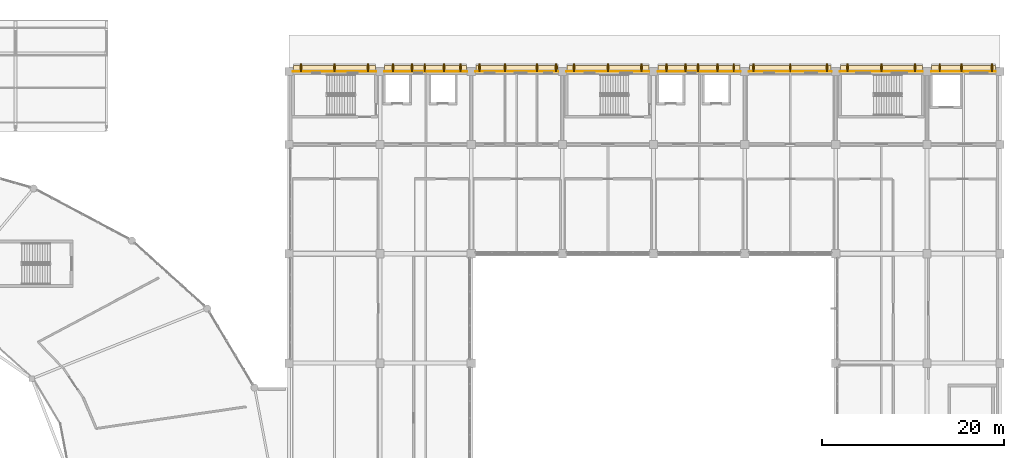
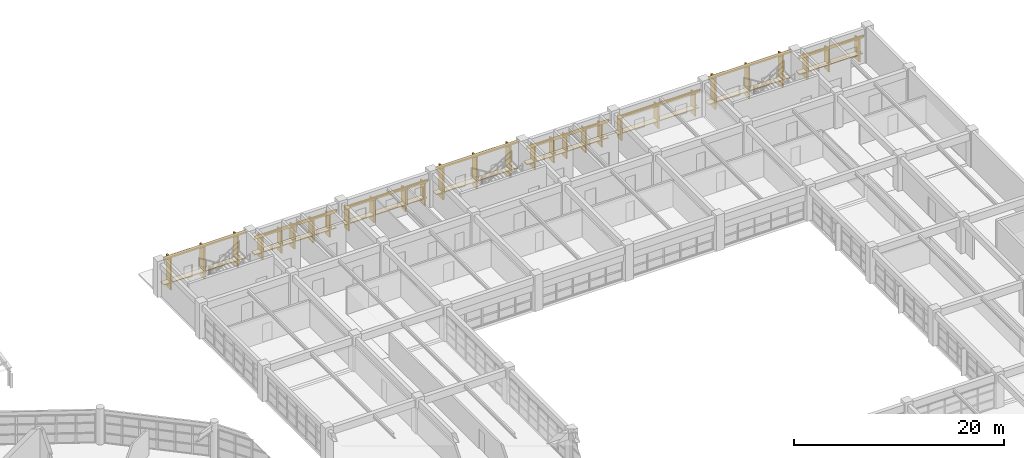
# One storey, part 100 of 100: 45 coverings.
"""IFC4 building model written with IfcOpenShell, lengths in metres."""

import ifcopenshell
import ifcopenshell.guid

model = None  # the IFC model being written
_history = None  # IfcOwnerHistory: only IFC2X3 demands one
_inside = {}  # id of a spatial element -> (the spatial element, [elements in it])
_under = {}  # id of a project, library or spatial element -> (it, [spatial elements below it])
_declared = {}  # id of a project -> (the project, [libraries it declares])
_typed = {}  # id of a type object -> (the type object, [elements of that type])
_made_of = {}  # id of a material, layer set ... -> (it, [elements and type objects made of it])


def new_model(schema):
    """Start an empty IFC model of exactly this schema.

    Asked for "IFC4X3", IfcOpenShell would pick the latest addendum, in which some entities
    have other attributes; the version numbers below select the first issue.
    IFC2X3 requires an IfcOwnerHistory on every rooted entity: one is made here for all.
    """
    global model, _history
    if schema == "IFC4X3":
        model = ifcopenshell.file(schema_version=(4, 3, 0, 0))
    else:
        model = ifcopenshell.file(schema=schema)
    _inside.clear()
    _under.clear()
    _declared.clear()
    _typed.clear()
    _made_of.clear()
    _history = None
    if model.schema == "IFC2X3":
        org = make("IfcOrganization", Name="unknown")
        user = make(
            "IfcPersonAndOrganization",
            ThePerson=make("IfcPerson", FamilyName="unknown"),
            TheOrganization=org,
        )
        app = make(
            "IfcApplication",
            ApplicationDeveloper=org,
            Version="unknown",
            ApplicationFullName="unknown",
            ApplicationIdentifier="unknown",
        )
        _history = make(
            "IfcOwnerHistory",
            OwningUser=user,
            OwningApplication=app,
            ChangeAction="ADDED",
            CreationDate=0,
        )
    return model


def make(cls, **values):
    """One entity of the class cls with the attributes given. An attribute that is None is left unset."""
    return model.create_entity(
        cls, **{name: value for name, value in values.items() if value is not None}
    )


def rooted(cls, **values):
    """An entity with a GlobalId (a new one), such as an element, a storey or a relation."""
    return make(cls, GlobalId=ifcopenshell.guid.new(), OwnerHistory=_history, **values)


def si_unit(unit_type, name, prefix=None):
    """IfcSIUnit, for example si_unit("LENGTHUNIT", "METRE", prefix="MILLI")."""
    return make("IfcSIUnit", UnitType=unit_type, Prefix=prefix, Name=name)


def assignment(units):
    """IfcUnitAssignment: the units of a project."""
    return None if units is None else make("IfcUnitAssignment", Units=units)


def point(xyz):
    """IfcCartesianPoint."""
    return None if xyz is None else make("IfcCartesianPoint", Coordinates=xyz)


def direction(xyz):
    """IfcDirection."""
    return None if xyz is None else make("IfcDirection", DirectionRatios=xyz)


def frame(location, z_axis=None, x_axis=None):
    """IfcAxis2Placement3D, a coordinate frame: its origin and axes. An axis left out is left unset."""
    return make(
        "IfcAxis2Placement3D",
        Location=point(location),
        Axis=direction(z_axis),
        RefDirection=direction(x_axis),
    )


def frame_2d(location, x_axis=None):
    """IfcAxis2Placement2D, a coordinate frame in the plane: its origin and x axis."""
    return make(
        "IfcAxis2Placement2D", Location=point(location), RefDirection=direction(x_axis)
    )


def origin():
    """The frame at (0, 0, 0) with its axes left unset."""
    return frame((0.0, 0.0, 0.0))


def origin_2d():
    """The frame at (0, 0) in the plane with its x axis left unset."""
    return frame_2d((0.0, 0.0))


def place(relative_to, where):
    """IfcLocalPlacement: puts the frame where relative to a parent placement (None: the world)."""
    return make(
        "IfcLocalPlacement", PlacementRelTo=relative_to, RelativePlacement=where
    )


def context(
    kind, dimensions, precision=None, world=None, true_north=None, identifier=None
):
    """IfcGeometricRepresentationContext, for example the 3D "Model" context."""
    return make(
        "IfcGeometricRepresentationContext",
        ContextIdentifier=identifier,
        ContextType=kind,
        CoordinateSpaceDimension=dimensions,
        Precision=precision,
        WorldCoordinateSystem=world,
        TrueNorth=true_north,
    )


def subcontext(parent, identifier, kind, view, scale=None):
    """IfcGeometricRepresentationSubContext, for example "Body" below "Model"."""
    return make(
        "IfcGeometricRepresentationSubContext",
        ContextIdentifier=identifier,
        ContextType=kind,
        ParentContext=parent,
        TargetScale=scale,
        TargetView=view,
    )


def project(units=None, contexts=None):
    """IfcProject with its units and contexts."""
    return rooted(
        "IfcProject",
        Name="project",
        RepresentationContexts=contexts,
        UnitsInContext=assignment(units),
    )


def spatial(cls, under=None, at=None, **own):
    """A site, building, storey or space (cls), placed at a placement, below another one or the project."""
    s = rooted(cls, ObjectPlacement=at, **own)
    if under is not None:
        _under.setdefault(under.id(), (under, []))[1].append(s)
    return s


def profile(cls, at=None, kind="AREA", **sizes):
    """A parametric profile (cls). Its sizes go by their IFC names, for example OverallWidth=200.0."""
    return make(cls, ProfileType=kind, Position=at, **sizes)


def rectangle(**sizes):
    """IfcRectangleProfileDef."""
    return profile("IfcRectangleProfileDef", **sizes)


def extrude(swept, where, along, depth):
    """IfcExtrudedAreaSolid: the profile swept, set in the frame where, extruded along a direction by depth."""
    return make(
        "IfcExtrudedAreaSolid",
        SweptArea=swept,
        Position=where,
        ExtrudedDirection=direction(along),
        Depth=depth,
    )


def shape(context_of_items, identifier, shape_type, items):
    """IfcShapeRepresentation: the items that make up one representation, for example the "Body"."""
    return make(
        "IfcShapeRepresentation",
        ContextOfItems=context_of_items,
        RepresentationIdentifier=identifier,
        RepresentationType=shape_type,
        Items=items,
    )


def material(Name=None, Category=None):
    """IfcMaterial."""
    return make("IfcMaterial", Name=Name, Category=Category)


def layer(
    of_material, thickness, ventilated=None, Name=None, Category=None, Priority=None
):
    """IfcMaterialLayer: one layer of a wall or slab, of a material (None: an air gap)."""
    return make(
        "IfcMaterialLayer",
        Material=of_material,
        LayerThickness=thickness,
        IsVentilated=ventilated,
        Name=Name,
        Category=Category,
        Priority=Priority,
    )


def layer_set(layers, Name=None):
    """IfcMaterialLayerSet."""
    return make("IfcMaterialLayerSet", MaterialLayers=layers, LayerSetName=Name)


def made_of(thing, what):
    """Note that an element or type object is made of a material, layer set ...; save() writes the relation."""
    if what is not None:
        _made_of.setdefault(what.id(), (what, []))[1].append(thing)
    return thing


def type_object(cls, material=None, **own):
    """A type object (cls), such as IfcWallType, which elements share."""
    return made_of(rooted(cls, **own), material)


def element(
    cls,
    number,
    at=None,
    inside=None,
    cuts=None,
    type_object=None,
    material=None,
    context=None,
    identifier="Body",
    shape_type=None,
    held_by="IfcProductDefinitionShape",
    body=None,
    shapes=None,
    **own,
):
    """One element of the class cls, such as IfcWall. Its Tag is "e" and its number.

    at: its placement. inside: the storey or other place that contains it. cuts: it is an
    opening in that element (IfcRelVoidsElement). A single representation is given by context,
    identifier, shape_type and body (its items); several are given by shapes. held_by: the class
    of the entity that holds the representations. save() writes the other relations.
    """
    e = rooted(cls, Tag="e%d" % number, ObjectPlacement=at, **own)
    if body is not None:
        shapes = [shape(context, identifier, shape_type, body)]
    if shapes is not None:
        e.Representation = make(held_by, Representations=shapes)
    if inside is not None:
        _inside.setdefault(inside.id(), (inside, []))[1].append(e)
    if cuts is not None:
        rooted(
            "IfcRelVoidsElement", RelatingBuildingElement=cuts, RelatedOpeningElement=e
        )
    if type_object is not None:
        _typed.setdefault(type_object.id(), (type_object, []))[1].append(e)
    return made_of(e, material)


def aggregate(whole, parts):
    """IfcRelAggregates: a whole, such as a stair, and the parts it consists of."""
    return rooted("IfcRelAggregates", RelatingObject=whole, RelatedObjects=parts)


def save(model, path):
    """Write the relations noted so far, then the file.

    IfcRelAggregates (storeys below a building ...), IfcRelContainedInSpatialStructure (elements
    in a storey), IfcRelDefinesByType, IfcRelAssociatesMaterial and IfcRelDeclares: one each for
    every whole, place, type object, material and project.
    """
    for whole, parts in _under.values():
        aggregate(whole, parts)
    for where, things in _inside.values():
        rooted(
            "IfcRelContainedInSpatialStructure",
            RelatedElements=things,
            RelatingStructure=where,
        )
    for kind, things in _typed.values():
        rooted("IfcRelDefinesByType", RelatedObjects=things, RelatingType=kind)
    for what, things in _made_of.values():
        rooted("IfcRelAssociatesMaterial", RelatedObjects=things, RelatingMaterial=what)
    for by, libraries in _declared.values():
        rooted("IfcRelDeclares", RelatingContext=by, RelatedDefinitions=libraries)
    model.write(path)


model = new_model("IFC4")

# Units and contexts
model_context = context("Model", 3, precision=1e-05, world=origin(), true_north=direction((0.0, 1.0)))
body_context = subcontext(model_context, "Body", "Model", "MODEL_VIEW")
ifc_project = project(units=[si_unit("LENGTHUNIT", "METRE"), si_unit("AREAUNIT", "SQUARE_METRE"), si_unit("VOLUMEUNIT", "CUBIC_METRE"), si_unit("PLANEANGLEUNIT", "RADIAN"), si_unit("MASSUNIT", "GRAM", prefix="KILO")], contexts=[model_context])

# Site, building, storey
site_placement = place(None, origin())
site = spatial("IfcSite", under=ifc_project, at=site_placement, CompositionType="ELEMENT")
building_placement = place(site_placement, origin())
building = spatial("IfcBuilding", under=site, at=building_placement, Name="Kivolera Central Railway Station", CompositionType="ELEMENT")
storey_placement = place(building_placement, frame((0.0, 0.0, 5.39990234375)))
storey = spatial("IfcBuildingStorey", under=building, at=storey_placement, Name="L01", CompositionType="ELEMENT", Elevation=5.39990234375)

# Coverings
ifc_material_1 = material(Name="Precast concrete C40/50", Category="concrete")
ifc_layer_1 = layer(ifc_material_1, 0.090087890625, Name="Precast concrete C40/50")
ifc_layer_set_1 = layer_set([ifc_layer_1], Name="Precast concrete C40/50")
covering_type_1 = type_object("IfcCoveringType", Name="COV-CLAUSTRA-90", PredefinedType="CLADDING", material=ifc_layer_set_1)
for number, where, z_axis, x_axis, name in (
    (1, (123.0, 134.31298828125, 0.85498046875), (0.0, 0.0, 1.0), (1.0, 0.0, 0.0), "L01 North Precast Egg-Crate Sill Shelf 1"),
    (2, (133.0, 134.31298828125, 0.85498046875), (0.0, 0.0, 1.0), (1.0, 0.0, 0.0), "L01 North Precast Egg-Crate Sill Shelf 2"),
    (3, (143.0, 134.31298828125, 0.85498046875), (0.0, 0.0, 1.0), (1.0, 0.0, 0.0), "L01 North Precast Egg-Crate Sill Shelf 3"),
    (4, (153.0, 134.31298828125, 0.85498046875), (0.0, 0.0, 1.0), (1.0, 0.0, 0.0), "L01 North Precast Egg-Crate Sill Shelf 4"),
    (5, (163.0, 134.31298828125, 0.85498046875), (0.0, 0.0, 1.0), (1.0, 0.0, 0.0), "L01 North Precast Egg-Crate Sill Shelf 5"),
    (6, (173.0, 134.31298828125, 0.85498046875), (0.0, 0.0, 1.0), (1.0, 0.0, 0.0), "L01 North Precast Egg-Crate Sill Shelf 6"),
    (7, (183.0, 134.31298828125, 0.85498046875), (0.0, 0.0, 1.0), (1.0, 0.0, 0.0), "L01 North Precast Egg-Crate Sill Shelf 7"),
):
    element("IfcCovering", number, at=place(storey_placement, frame(where, z_axis=z_axis, x_axis=x_axis)), inside=storey, type_object=covering_type_1, Name=name, PredefinedType="CLADDING", context=body_context, shape_type="SweptSolid", body=[
        extrude(rectangle(XDim=8.989990234375, YDim=0.64990234375, at=origin_2d()), origin(), (0.0, 0.0, 1.0), 0.090087890625),
    ])
covering_1_placement = place(storey_placement, frame((192.0, 134.31298828125, 0.85498046875), z_axis=(0.0, 0.0, 1.0), x_axis=(1.0, 0.0, 0.0)))
element("IfcCovering", 8, at=covering_1_placement, inside=storey, type_object=covering_type_1, Name="L01 North Precast Egg-Crate Sill Shelf 8", PredefinedType="CLADDING", context=body_context, shape_type="SweptSolid", body=[
    extrude(rectangle(XDim=6.989990234375, YDim=0.64990234375, at=origin_2d()), origin(), (0.0, 0.0, 1.0), 0.090087890625),
])
ifc_material_2 = material(Name="Swahili coral limestone", Category="masonry")
ifc_layer_2 = layer(ifc_material_2, 0.159912109375, Name="Swahili coral limestone")
ifc_layer_set_2 = layer_set([ifc_layer_2], Name="Swahili coral limestone")
covering_type_2 = type_object("IfcCoveringType", Name="COV-EGGFIN-160", PredefinedType="CLADDING", material=ifc_layer_set_2)
for number, where, z_axis, x_axis, name in (
    (9, (119.300048828125, 134.4130859375, 0.0400390625), (0.0, 0.0, 1.0), (1.0, 0.0, 0.0), "L01 North Afro-Modernist Coral-Stone Sun-Fin 1.1"),
    (10, (123.0, 134.4130859375, 0.0400390625), (0.0, 0.0, 1.0), (1.0, 0.0, 0.0), "L01 North Afro-Modernist Coral-Stone Sun-Fin 1.2"),
    (11, (126.699951171875, 134.4130859375, 0.0400390625), (0.0, 0.0, 1.0), (1.0, 0.0, 0.0), "L01 North Afro-Modernist Coral-Stone Sun-Fin 1.3"),
):
    element("IfcCovering", number, at=place(storey_placement, frame(where, z_axis=z_axis, x_axis=x_axis)), inside=storey, type_object=covering_type_2, Name=name, PredefinedType="CLADDING", context=body_context, shape_type="SweptSolid", body=[
        extrude(rectangle(XDim=0.159912109375, YDim=0.85009765625, at=origin_2d()), origin(), (0.0, 0.0, 1.0), 3.719970703125),
    ])
for number, where, z_axis, x_axis, name in (
    (12, (129.39990234375, 134.4130859375, 0.0400390625), (0.0, 0.0, 1.0), (1.0, 0.0, 0.0), "L01 North Afro-Modernist Coral-Stone Sun-Fin 2.1"),
    (13, (131.5, 134.4130859375, 0.0400390625), (0.0, 0.0, 1.0), (1.0, 0.0, 0.0), "L01 North Afro-Modernist Coral-Stone Sun-Fin 2.2"),
    (14, (132.89990234375, 134.4130859375, 0.0400390625), (0.0, 0.0, 1.0), (1.0, 0.0, 0.0), "L01 North Afro-Modernist Coral-Stone Sun-Fin 2.3"),
    (15, (135.0, 134.4130859375, 0.0400390625), (0.0, 0.0, 1.0), (1.0, 0.0, 0.0), "L01 North Afro-Modernist Coral-Stone Sun-Fin 2.4"),
    (16, (136.800048828125, 134.4130859375, 0.0400390625), (0.0, 0.0, 1.0), (1.0, 0.0, 0.0), "L01 North Afro-Modernist Coral-Stone Sun-Fin 2.5"),
    (17, (138.89990234375, 134.4130859375, 0.0400390625), (0.0, 0.0, 1.0), (1.0, 0.0, 0.0), "L01 North Afro-Modernist Coral-Stone Sun-Fin 3.1"),
    (18, (141.699951171875, 134.4130859375, 0.0400390625), (0.0, 0.0, 1.0), (1.0, 0.0, 0.0), "L01 North Afro-Modernist Coral-Stone Sun-Fin 3.2"),
    (19, (145.199951171875, 134.4130859375, 0.0400390625), (0.0, 0.0, 1.0), (1.0, 0.0, 0.0), "L01 North Afro-Modernist Coral-Stone Sun-Fin 3.3"),
    (20, (147.300048828125, 134.4130859375, 0.0400390625), (0.0, 0.0, 1.0), (1.0, 0.0, 0.0), "L01 North Afro-Modernist Coral-Stone Sun-Fin 3.4"),
):
    element("IfcCovering", number, at=place(storey_placement, frame(where, z_axis=z_axis, x_axis=x_axis)), inside=storey, type_object=covering_type_2, Name=name, PredefinedType="CLADDING", context=body_context, shape_type="SweptSolid", body=[
        extrude(rectangle(XDim=0.159912109375, YDim=0.85009765625, at=origin_2d()), origin(), (0.0, 0.0, 1.0), 2.637939453125),
    ])
for number, where, z_axis, x_axis, name in (
    (21, (149.300048828125, 134.4130859375, 0.0400390625), (0.0, 0.0, 1.0), (1.0, 0.0, 0.0), "L01 North Afro-Modernist Coral-Stone Sun-Fin 4.1"),
    (22, (153.0, 134.4130859375, 0.0400390625), (0.0, 0.0, 1.0), (1.0, 0.0, 0.0), "L01 North Afro-Modernist Coral-Stone Sun-Fin 4.2"),
    (23, (156.699951171875, 134.4130859375, 0.0400390625), (0.0, 0.0, 1.0), (1.0, 0.0, 0.0), "L01 North Afro-Modernist Coral-Stone Sun-Fin 4.3"),
):
    element("IfcCovering", number, at=place(storey_placement, frame(where, z_axis=z_axis, x_axis=x_axis)), inside=storey, type_object=covering_type_2, Name=name, PredefinedType="CLADDING", context=body_context, shape_type="SweptSolid", body=[
        extrude(rectangle(XDim=0.159912109375, YDim=0.85009765625, at=origin_2d()), origin(), (0.0, 0.0, 1.0), 3.719970703125),
    ])
for number, where, z_axis, x_axis, name in (
    (24, (159.39990234375, 134.4130859375, 0.0400390625), (0.0, 0.0, 1.0), (1.0, 0.0, 0.0), "L01 North Afro-Modernist Coral-Stone Sun-Fin 5.1"),
    (25, (161.5, 134.4130859375, 0.0400390625), (0.0, 0.0, 1.0), (1.0, 0.0, 0.0), "L01 North Afro-Modernist Coral-Stone Sun-Fin 5.2"),
    (26, (162.89990234375, 134.4130859375, 0.0400390625), (0.0, 0.0, 1.0), (1.0, 0.0, 0.0), "L01 North Afro-Modernist Coral-Stone Sun-Fin 5.3"),
    (27, (165.0, 134.4130859375, 0.0400390625), (0.0, 0.0, 1.0), (1.0, 0.0, 0.0), "L01 North Afro-Modernist Coral-Stone Sun-Fin 5.4"),
    (28, (166.800048828125, 134.4130859375, 0.0400390625), (0.0, 0.0, 1.0), (1.0, 0.0, 0.0), "L01 North Afro-Modernist Coral-Stone Sun-Fin 5.5"),
    (29, (168.949951171875, 134.4130859375, 0.0400390625), (0.0, 0.0, 1.0), (1.0, 0.0, 0.0), "L01 North Afro-Modernist Coral-Stone Sun-Fin 6.1"),
    (30, (173.0, 134.4130859375, 0.0400390625), (0.0, 0.0, 1.0), (1.0, 0.0, 0.0), "L01 North Afro-Modernist Coral-Stone Sun-Fin 6.2"),
    (31, (177.050048828125, 134.4130859375, 0.0400390625), (0.0, 0.0, 1.0), (1.0, 0.0, 0.0), "L01 North Afro-Modernist Coral-Stone Sun-Fin 6.3"),
):
    element("IfcCovering", number, at=place(storey_placement, frame(where, z_axis=z_axis, x_axis=x_axis)), inside=storey, type_object=covering_type_2, Name=name, PredefinedType="CLADDING", context=body_context, shape_type="SweptSolid", body=[
        extrude(rectangle(XDim=0.159912109375, YDim=0.85009765625, at=origin_2d()), origin(), (0.0, 0.0, 1.0), 2.637939453125),
    ])
for number, where, z_axis, x_axis, name in (
    (32, (179.300048828125, 134.4130859375, 0.0400390625), (0.0, 0.0, 1.0), (1.0, 0.0, 0.0), "L01 North Afro-Modernist Coral-Stone Sun-Fin 7.1"),
    (33, (183.0, 134.4130859375, 0.0400390625), (0.0, 0.0, 1.0), (1.0, 0.0, 0.0), "L01 North Afro-Modernist Coral-Stone Sun-Fin 7.2"),
    (34, (186.699951171875, 134.4130859375, 0.0400390625), (0.0, 0.0, 1.0), (1.0, 0.0, 0.0), "L01 North Afro-Modernist Coral-Stone Sun-Fin 7.3"),
):
    element("IfcCovering", number, at=place(storey_placement, frame(where, z_axis=z_axis, x_axis=x_axis)), inside=storey, type_object=covering_type_2, Name=name, PredefinedType="CLADDING", context=body_context, shape_type="SweptSolid", body=[
        extrude(rectangle(XDim=0.159912109375, YDim=0.85009765625, at=origin_2d()), origin(), (0.0, 0.0, 1.0), 3.719970703125),
    ])
for number, where, z_axis, x_axis, name in (
    (35, (189.39990234375, 134.4130859375, 0.0400390625), (0.0, 0.0, 1.0), (1.0, 0.0, 0.0), "L01 North Afro-Modernist Coral-Stone Sun-Fin 8.1"),
    (36, (191.800048828125, 134.4130859375, 0.0400390625), (0.0, 0.0, 1.0), (1.0, 0.0, 0.0), "L01 North Afro-Modernist Coral-Stone Sun-Fin 8.2"),
    (37, (195.14990234375, 134.4130859375, 0.0400390625), (0.0, 0.0, 1.0), (1.0, 0.0, 0.0), "L01 North Afro-Modernist Coral-Stone Sun-Fin 8.3"),
):
    element("IfcCovering", number, at=place(storey_placement, frame(where, z_axis=z_axis, x_axis=x_axis)), inside=storey, type_object=covering_type_2, Name=name, PredefinedType="CLADDING", context=body_context, shape_type="SweptSolid", body=[
        extrude(rectangle(XDim=0.159912109375, YDim=0.85009765625, at=origin_2d()), origin(), (0.0, 0.0, 1.0), 2.637939453125),
    ])
ifc_material_3 = material(Name="Terracotta clay tile", Category="masonry")
ifc_layer_3 = layer(ifc_material_3, 0.044921875, Name="Terracotta clay tile")
ifc_layer_set_3 = layer_set([ifc_layer_3], Name="Terracotta clay tile")
covering_type_3 = type_object("IfcCoveringType", Name="COV-TERRACOTTA-45", PredefinedType="CLADDING", material=ifc_layer_set_3)
for number, where, z_axis, x_axis, name in (
    (38, (118.445068359375, 134.02001953125, 3.77001953125), (0.0, 0.0, 1.0), (1.0, 0.0, 0.0), "L01 North Terracotta Spandrel 1"),
    (39, (128.445068359375, 134.02001953125, 2.68798828125), (0.0, 0.0, 1.0), (1.0, 0.0, 0.0), "L01 North Terracotta Spandrel 2"),
    (40, (138.445068359375, 134.02001953125, 2.68798828125), (0.0, 0.0, 1.0), (1.0, 0.0, 0.0), "L01 North Terracotta Spandrel 3"),
    (41, (148.445068359375, 134.02001953125, 3.77001953125), (0.0, 0.0, 1.0), (1.0, 0.0, 0.0), "L01 North Terracotta Spandrel 4"),
    (42, (158.445068359375, 134.02001953125, 2.68798828125), (0.0, 0.0, 1.0), (1.0, 0.0, 0.0), "L01 North Terracotta Spandrel 5"),
    (43, (168.445068359375, 134.02001953125, 2.68798828125), (0.0, 0.0, 1.0), (1.0, 0.0, 0.0), "L01 North Terracotta Spandrel 6"),
    (44, (178.445068359375, 134.02001953125, 3.77001953125), (0.0, 0.0, 1.0), (1.0, 0.0, 0.0), "L01 North Terracotta Spandrel 7"),
):
    element("IfcCovering", number, at=place(storey_placement, frame(where, z_axis=z_axis, x_axis=x_axis)), inside=storey, type_object=covering_type_3, Name=name, PredefinedType="CLADDING", context=body_context, shape_type="SweptSolid", body=[
        extrude(rectangle(XDim=9.10986328125, YDim=0.044921875, at=frame_2d((4.554931640625, 0.0))), origin(), (0.0, 0.0, 1.0), 0.400146484375),
    ])
covering_2_placement = place(storey_placement, frame((188.445068359375, 134.02001953125, 2.68798828125), z_axis=(0.0, 0.0, 1.0), x_axis=(1.0, 0.0, 0.0)))
element("IfcCovering", 45, at=covering_2_placement, inside=storey, type_object=covering_type_3, Name="L01 North Terracotta Spandrel 8", PredefinedType="CLADDING", context=body_context, shape_type="SweptSolid", body=[
    extrude(rectangle(XDim=7.10986328125, YDim=0.044921875, at=frame_2d((3.554931640625, 0.0))), origin(), (0.0, 0.0, 1.0), 0.400146484375),
])

save(model, "model.ifc")
